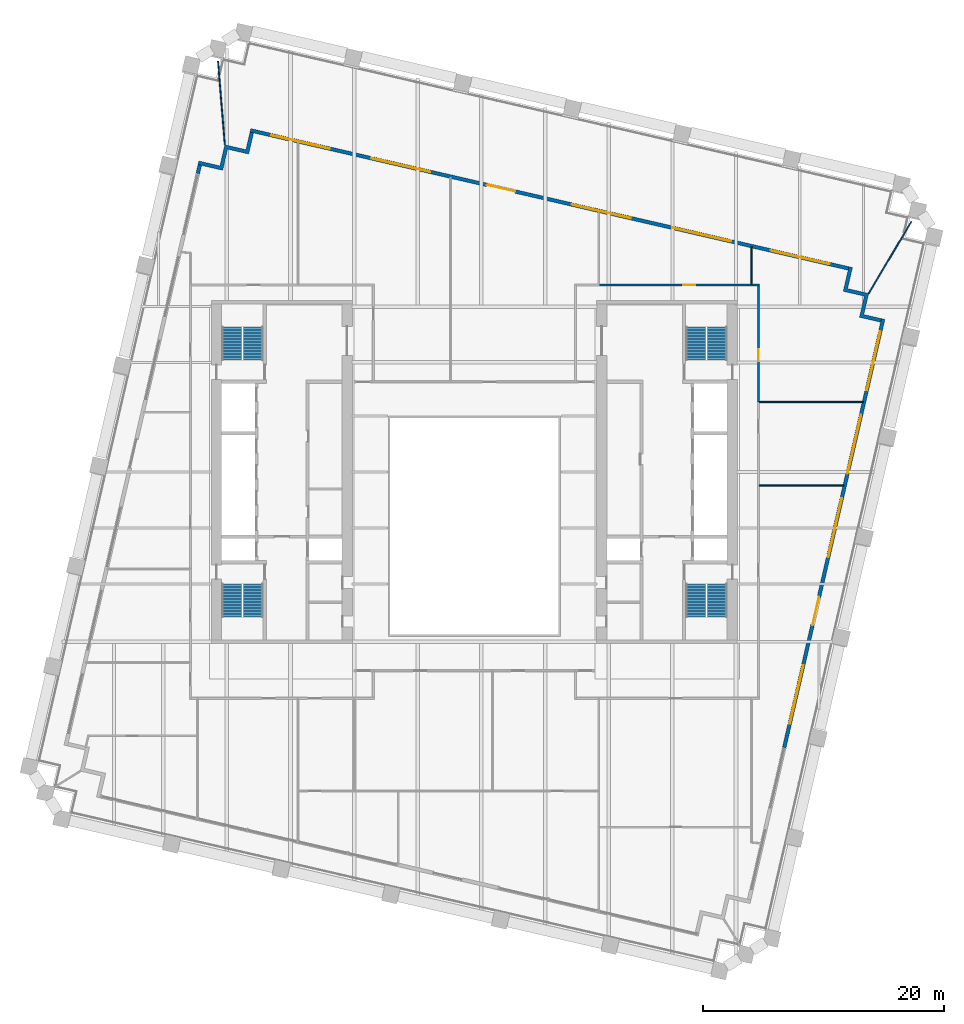
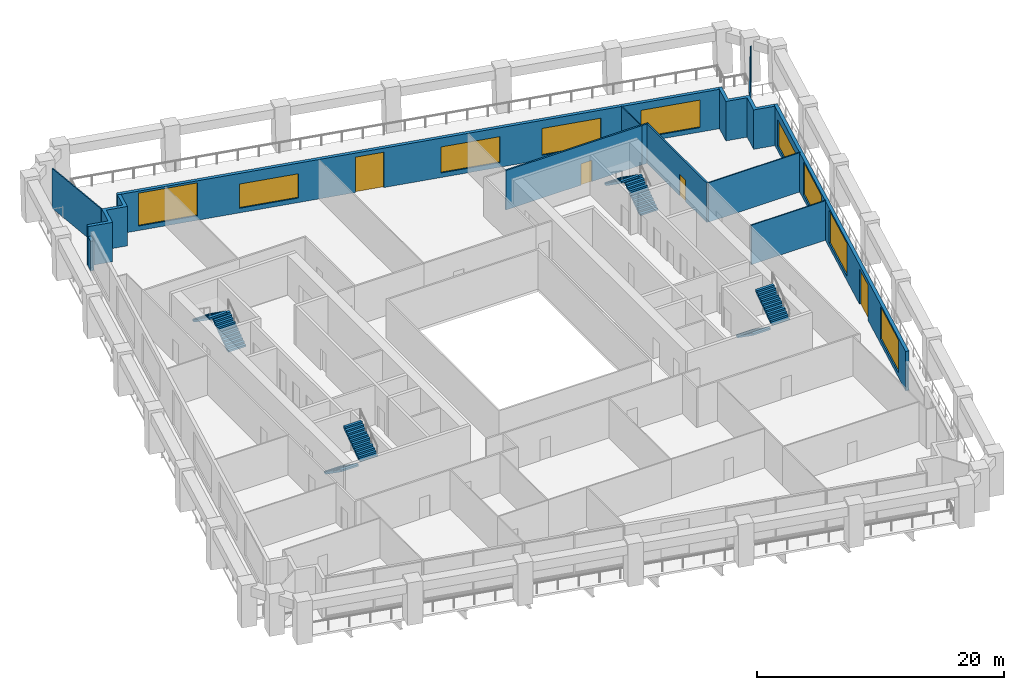
# One storey, part 10 of 12: 13 walls, 9 windows, 8 stair flights, 4 doors, 13 openings, 4 elements without a shape of their own.
"""IFC4 building model written with IfcOpenShell, lengths in metres."""

import ifcopenshell
import ifcopenshell.guid

model = None  # the IFC model being written
_history = None  # IfcOwnerHistory: only IFC2X3 demands one
_inside = {}  # id of a spatial element -> (the spatial element, [elements in it])
_under = {}  # id of a project, library or spatial element -> (it, [spatial elements below it])
_declared = {}  # id of a project -> (the project, [libraries it declares])
_typed = {}  # id of a type object -> (the type object, [elements of that type])
_made_of = {}  # id of a material, layer set ... -> (it, [elements and type objects made of it])


def new_model(schema):
    """Start an empty IFC model of exactly this schema.

    Asked for "IFC4X3", IfcOpenShell would pick the latest addendum, in which some entities
    have other attributes; the version numbers below select the first issue.
    IFC2X3 requires an IfcOwnerHistory on every rooted entity: one is made here for all.
    """
    global model, _history
    if schema == "IFC4X3":
        model = ifcopenshell.file(schema_version=(4, 3, 0, 0))
    else:
        model = ifcopenshell.file(schema=schema)
    _inside.clear()
    _under.clear()
    _declared.clear()
    _typed.clear()
    _made_of.clear()
    _history = None
    if model.schema == "IFC2X3":
        org = make("IfcOrganization", Name="unknown")
        user = make(
            "IfcPersonAndOrganization",
            ThePerson=make("IfcPerson", FamilyName="unknown"),
            TheOrganization=org,
        )
        app = make(
            "IfcApplication",
            ApplicationDeveloper=org,
            Version="unknown",
            ApplicationFullName="unknown",
            ApplicationIdentifier="unknown",
        )
        _history = make(
            "IfcOwnerHistory",
            OwningUser=user,
            OwningApplication=app,
            ChangeAction="ADDED",
            CreationDate=0,
        )
    return model


def make(cls, **values):
    """One entity of the class cls with the attributes given. An attribute that is None is left unset."""
    return model.create_entity(
        cls, **{name: value for name, value in values.items() if value is not None}
    )


def rooted(cls, **values):
    """An entity with a GlobalId (a new one), such as an element, a storey or a relation."""
    return make(cls, GlobalId=ifcopenshell.guid.new(), OwnerHistory=_history, **values)


def si_unit(unit_type, name, prefix=None):
    """IfcSIUnit, for example si_unit("LENGTHUNIT", "METRE", prefix="MILLI")."""
    return make("IfcSIUnit", UnitType=unit_type, Prefix=prefix, Name=name)


def assignment(units):
    """IfcUnitAssignment: the units of a project."""
    return None if units is None else make("IfcUnitAssignment", Units=units)


def point(xyz):
    """IfcCartesianPoint."""
    return None if xyz is None else make("IfcCartesianPoint", Coordinates=xyz)


def direction(xyz):
    """IfcDirection."""
    return None if xyz is None else make("IfcDirection", DirectionRatios=xyz)


def frame(location, z_axis=None, x_axis=None):
    """IfcAxis2Placement3D, a coordinate frame: its origin and axes. An axis left out is left unset."""
    return make(
        "IfcAxis2Placement3D",
        Location=point(location),
        Axis=direction(z_axis),
        RefDirection=direction(x_axis),
    )


def frame_2d(location, x_axis=None):
    """IfcAxis2Placement2D, a coordinate frame in the plane: its origin and x axis."""
    return make(
        "IfcAxis2Placement2D", Location=point(location), RefDirection=direction(x_axis)
    )


def origin():
    """The frame at (0, 0, 0) with its axes left unset."""
    return frame((0.0, 0.0, 0.0))


def place(relative_to, where):
    """IfcLocalPlacement: puts the frame where relative to a parent placement (None: the world)."""
    return make(
        "IfcLocalPlacement", PlacementRelTo=relative_to, RelativePlacement=where
    )


def context(
    kind, dimensions, precision=None, world=None, true_north=None, identifier=None
):
    """IfcGeometricRepresentationContext, for example the 3D "Model" context."""
    return make(
        "IfcGeometricRepresentationContext",
        ContextIdentifier=identifier,
        ContextType=kind,
        CoordinateSpaceDimension=dimensions,
        Precision=precision,
        WorldCoordinateSystem=world,
        TrueNorth=true_north,
    )


def subcontext(parent, identifier, kind, view, scale=None):
    """IfcGeometricRepresentationSubContext, for example "Body" below "Model"."""
    return make(
        "IfcGeometricRepresentationSubContext",
        ContextIdentifier=identifier,
        ContextType=kind,
        ParentContext=parent,
        TargetScale=scale,
        TargetView=view,
    )


def project(units=None, contexts=None):
    """IfcProject with its units and contexts."""
    return rooted(
        "IfcProject",
        Name="project",
        RepresentationContexts=contexts,
        UnitsInContext=assignment(units),
    )


def spatial(cls, under=None, at=None, **own):
    """A site, building, storey or space (cls), placed at a placement, below another one or the project."""
    s = rooted(cls, ObjectPlacement=at, **own)
    if under is not None:
        _under.setdefault(under.id(), (under, []))[1].append(s)
    return s


def polyline(points):
    """IfcPolyline through the points."""
    return make("IfcPolyline", Points=[point(p) for p in points])


def profile(cls, at=None, kind="AREA", **sizes):
    """A parametric profile (cls). Its sizes go by their IFC names, for example OverallWidth=200.0."""
    return make(cls, ProfileType=kind, Position=at, **sizes)


def rectangle(**sizes):
    """IfcRectangleProfileDef."""
    return profile("IfcRectangleProfileDef", **sizes)


def outline(outer, holes=None, kind="AREA"):
    """IfcArbitraryClosedProfileDef: a profile drawn as a closed curve; with holes, ...WithVoids."""
    if holes is None:
        return make("IfcArbitraryClosedProfileDef", ProfileType=kind, OuterCurve=outer)
    return make(
        "IfcArbitraryProfileDefWithVoids",
        ProfileType=kind,
        OuterCurve=outer,
        InnerCurves=holes,
    )


def extrude(swept, where, along, depth):
    """IfcExtrudedAreaSolid: the profile swept, set in the frame where, extruded along a direction by depth."""
    return make(
        "IfcExtrudedAreaSolid",
        SweptArea=swept,
        Position=where,
        ExtrudedDirection=direction(along),
        Depth=depth,
    )


def shape(context_of_items, identifier, shape_type, items):
    """IfcShapeRepresentation: the items that make up one representation, for example the "Body"."""
    return make(
        "IfcShapeRepresentation",
        ContextOfItems=context_of_items,
        RepresentationIdentifier=identifier,
        RepresentationType=shape_type,
        Items=items,
    )


def material(Name=None, Category=None):
    """IfcMaterial."""
    return make("IfcMaterial", Name=Name, Category=Category)


def layer(
    of_material, thickness, ventilated=None, Name=None, Category=None, Priority=None
):
    """IfcMaterialLayer: one layer of a wall or slab, of a material (None: an air gap)."""
    return make(
        "IfcMaterialLayer",
        Material=of_material,
        LayerThickness=thickness,
        IsVentilated=ventilated,
        Name=Name,
        Category=Category,
        Priority=Priority,
    )


def layer_set(layers, Name=None):
    """IfcMaterialLayerSet."""
    return make("IfcMaterialLayerSet", MaterialLayers=layers, LayerSetName=Name)


def made_of(thing, what):
    """Note that an element or type object is made of a material, layer set ...; save() writes the relation."""
    if what is not None:
        _made_of.setdefault(what.id(), (what, []))[1].append(thing)
    return thing


def type_object(cls, material=None, **own):
    """A type object (cls), such as IfcWallType, which elements share."""
    return made_of(rooted(cls, **own), material)


def element(
    cls,
    number,
    at=None,
    inside=None,
    cuts=None,
    type_object=None,
    material=None,
    context=None,
    identifier="Body",
    shape_type=None,
    held_by="IfcProductDefinitionShape",
    body=None,
    shapes=None,
    **own,
):
    """One element of the class cls, such as IfcWall. Its Tag is "e" and its number.

    at: its placement. inside: the storey or other place that contains it. cuts: it is an
    opening in that element (IfcRelVoidsElement). A single representation is given by context,
    identifier, shape_type and body (its items); several are given by shapes. held_by: the class
    of the entity that holds the representations. save() writes the other relations.
    """
    e = rooted(cls, Tag="e%d" % number, ObjectPlacement=at, **own)
    if body is not None:
        shapes = [shape(context, identifier, shape_type, body)]
    if shapes is not None:
        e.Representation = make(held_by, Representations=shapes)
    if inside is not None:
        _inside.setdefault(inside.id(), (inside, []))[1].append(e)
    if cuts is not None:
        rooted(
            "IfcRelVoidsElement", RelatingBuildingElement=cuts, RelatedOpeningElement=e
        )
    if type_object is not None:
        _typed.setdefault(type_object.id(), (type_object, []))[1].append(e)
    return made_of(e, material)


def fill(opening, filler):
    """IfcRelFillsElement: the door or window that sits in an opening."""
    return rooted(
        "IfcRelFillsElement",
        RelatingOpeningElement=opening,
        RelatedBuildingElement=filler,
    )


def aggregate(whole, parts):
    """IfcRelAggregates: a whole, such as a stair, and the parts it consists of."""
    return rooted("IfcRelAggregates", RelatingObject=whole, RelatedObjects=parts)


def save(model, path):
    """Write the relations noted so far, then the file.

    IfcRelAggregates (storeys below a building ...), IfcRelContainedInSpatialStructure (elements
    in a storey), IfcRelDefinesByType, IfcRelAssociatesMaterial and IfcRelDeclares: one each for
    every whole, place, type object, material and project.
    """
    for whole, parts in _under.values():
        aggregate(whole, parts)
    for where, things in _inside.values():
        rooted(
            "IfcRelContainedInSpatialStructure",
            RelatedElements=things,
            RelatingStructure=where,
        )
    for kind, things in _typed.values():
        rooted("IfcRelDefinesByType", RelatedObjects=things, RelatingType=kind)
    for what, things in _made_of.values():
        rooted("IfcRelAssociatesMaterial", RelatedObjects=things, RelatingMaterial=what)
    for by, libraries in _declared.values():
        rooted("IfcRelDeclares", RelatingContext=by, RelatedDefinitions=libraries)
    model.write(path)


model = new_model("IFC4")

# Units and contexts
model_context = context("Model", 3, precision=1e-05, world=origin(), true_north=direction((0.0, 1.0)))
body_context = subcontext(model_context, "Body", "Model", "MODEL_VIEW")
ifc_project = project(units=[si_unit("LENGTHUNIT", "METRE"), si_unit("AREAUNIT", "SQUARE_METRE"), si_unit("VOLUMEUNIT", "CUBIC_METRE"), si_unit("PLANEANGLEUNIT", "RADIAN"), si_unit("MASSUNIT", "GRAM", prefix="KILO")], contexts=[model_context])

# Site, building, storey
site_placement = place(None, origin())
site = spatial("IfcSite", under=ifc_project, at=site_placement, CompositionType="ELEMENT")
building_placement = place(site_placement, origin())
building = spatial("IfcBuilding", under=site, at=building_placement, Name="Ogive Exchange Tower", CompositionType="ELEMENT")
storey_placement = place(building_placement, frame((0.0, 0.0, 156.0)))
storey = spatial("IfcBuildingStorey", under=building, at=storey_placement, Name="L34", CompositionType="ELEMENT", Elevation=156.0)

# Wall, opening, door
ifc_material_1 = material(Name="Fire partition EI 60 150")
ifc_layer_1 = layer(ifc_material_1, 0.14990234375)
ifc_layer_set_1 = layer_set([ifc_layer_1], Name="Fire partition EI 60 150")
wall_type_1 = type_object("IfcWallType", Name="Fire partition EI 60 150", PredefinedType="PARTITIONING", material=ifc_layer_set_1)
wall_1_placement = place(storey_placement, frame((10.320068359375, 27.050048828125, 0.0), z_axis=(0.0, 0.0, 1.0), x_axis=(1.0, 0.0, 0.0)))
wall_1 = element("IfcWall", 1, at=wall_1_placement, inside=storey, type_object=wall_type_1, Name="L34-PWL-045", PredefinedType="PARTITIONING", context=body_context, shape_type="SweptSolid", body=[
    extrude(rectangle(XDim=12.739990234375, YDim=0.14990234375, at=frame_2d((6.3701171875, 0.0))), origin(), (0.0, 0.0, 1.0), 3.89990234375),
])
opening_1_placement = place(wall_1_placement, frame((7.0400390625, 0.0, 0.0)))
opening_1 = element("IfcOpeningElement", 2, at=opening_1_placement, cuts=wall_1, Name="Opening L34-I01", PredefinedType="OPENING", context=body_context, shape_type="SweptSolid", body=[
    extrude(rectangle(XDim=1.0, YDim=2.10009765625, at=frame_2d((0.5, 1.050048828125))), frame((0.0, 0.0849609375, 0.0), z_axis=(0.0, -1.0, 0.0), x_axis=(1.0, 0.0, 0.0)), (0.0, 0.0, 1.0), 0.169921875),
])
ifc_material_2 = material(Name="Fire door FD 30S 1000 x 2100")
door_type_1 = type_object("IfcDoorType", Name="Fire door FD 30S 1000 x 2100", OperationType="NOTDEFINED", PredefinedType="DOOR", material=ifc_material_2)
door_1_placement = place(opening_1_placement, origin())
door_1 = element("IfcDoor", 3, at=door_1_placement, inside=storey, type_object=door_type_1, Name="L34-IDR-001", ObjectType="DT3", OperationType="SINGLE_SWING_LEFT", OverallHeight=2.10009765625, OverallWidth=1.0, PredefinedType="DOOR", context=body_context, shape_type="SweptSolid", body=[
    extrude(rectangle(XDim=1.0, YDim=2.10009765625, at=frame_2d((0.5, 1.050048828125))), frame((0.0, 0.02490234375, 0.0), z_axis=(0.0, -1.0, 0.0), x_axis=(1.0, 0.0, 0.0)), (0.0, 0.0, 1.0), 0.050048828125),
])
fill(opening_1, door_1)

# Wall
wall_2_placement = place(storey_placement, frame((23.06005859375, 27.050048828125, 0.0), z_axis=(0.0, 0.0, 1.0), x_axis=(1.0, 0.0, 0.0)))
element("IfcWall", 4, at=wall_2_placement, inside=storey, type_object=wall_type_1, Name="L34-PWL-051", PredefinedType="PARTITIONING", context=body_context, shape_type="SweptSolid", body=[
    extrude(rectangle(XDim=0.614990234375, YDim=0.14990234375, at=frame_2d((0.3076171875, 0.0))), origin(), (0.0, 0.0, 1.0), 3.89990234375),
])

# Wall, opening, door
wall_3_placement = place(storey_placement, frame((23.60009765625, 26.97509765625, 0.0), z_axis=(0.0, 0.0, 1.0), x_axis=(0.0, -1.0, 0.0)))
wall_3 = element("IfcWall", 5, at=wall_3_placement, inside=storey, type_object=wall_type_1, Name="L34-PWL-058", PredefinedType="PARTITIONING", context=body_context, shape_type="SweptSolid", body=[
    extrude(rectangle(XDim=9.655029296875, YDim=0.14990234375, at=frame_2d((4.82763671875, 0.0))), origin(), (0.0, 0.0, 1.0), 3.89990234375),
])
opening_2_placement = place(wall_3_placement, frame((5.2548828125, 0.0, 0.0)))
opening_2 = element("IfcOpeningElement", 6, at=opening_2_placement, cuts=wall_3, Name="Opening L34-I06", PredefinedType="OPENING", context=body_context, shape_type="SweptSolid", body=[
    extrude(rectangle(XDim=1.0, YDim=2.10009765625, at=frame_2d((0.5, 1.050048828125))), frame((0.0, 0.0849609375, 0.0), z_axis=(0.0, -1.0, 0.0), x_axis=(1.0, 0.0, 0.0)), (0.0, 0.0, 1.0), 0.169921875),
])
door_2_placement = place(opening_2_placement, origin())
door_2 = element("IfcDoor", 7, at=door_2_placement, inside=storey, type_object=door_type_1, Name="L34-IDR-006", ObjectType="DT3", OperationType="SINGLE_SWING_LEFT", OverallHeight=2.10009765625, OverallWidth=1.0, PredefinedType="DOOR", context=body_context, shape_type="SweptSolid", body=[
    extrude(rectangle(XDim=1.0, YDim=2.10009765625, at=frame_2d((0.5, 1.050048828125))), frame((0.0, 0.02490234375, 0.0), z_axis=(0.0, -1.0, 0.0), x_axis=(1.0, 0.0, 0.0)), (0.0, 0.0, 1.0), 0.050048828125),
])
fill(opening_2, door_2)

# Wall, openings, windows, door
ifc_material_3 = material(Name="Precast concrete C40/50", Category="concrete")
ifc_layer_2 = layer(ifc_material_3, 0.300048828125)
ifc_layer_set_2 = layer_set([ifc_layer_2], Name="Limestone-faced wall 300")
wall_type_2 = type_object("IfcWallType", Name="Limestone-faced wall 300", PredefinedType="STANDARD", material=ifc_layer_set_2)
wall_4_placement = place(storey_placement, frame((31.07763671875, 28.4208984375, 0.0), z_axis=(0.0, 0.0, 1.0), x_axis=(-0.974370456532, 0.224949357493, 0.0)))
wall_4 = element("IfcWall", 8, at=wall_4_placement, inside=storey, type_object=wall_type_2, Name="External wall N3", PredefinedType="STANDARD", context=body_context, shape_type="SweptSolid", body=[
    extrude(rectangle(XDim=51.0, YDim=0.300048828125, at=frame_2d((25.5, 0.0))), origin(), (0.0, 0.0, 1.0), 3.89990234375),
])
opening_3_placement = place(wall_4_placement, frame((1.625, 0.0, 0.449951171875)))
opening_3 = element("IfcOpeningElement", 9, at=opening_3_placement, cuts=wall_4, Name="Opening W2G", PredefinedType="OPENING", context=body_context, shape_type="SweptSolid", body=[
    extrude(rectangle(XDim=5.0, YDim=2.72509765625, at=frame_2d((2.5, 1.362548828125))), frame((0.0, 0.159912109375, 0.0), z_axis=(0.0, -1.0, 0.0), x_axis=(1.0, 0.0, 0.0)), (0.0, 0.0, 1.0), 0.320068359375),
])
opening_4_placement = place(wall_4_placement, frame((10.02490234375, 0.0, 0.449951171875)))
opening_4 = element("IfcOpeningElement", 10, at=opening_4_placement, cuts=wall_4, Name="Opening W2I", PredefinedType="OPENING", context=body_context, shape_type="SweptSolid", body=[
    extrude(rectangle(XDim=5.0, YDim=2.64990234375, at=frame_2d((2.5, 1.324951171875))), frame((0.0, 0.159912109375, 0.0), z_axis=(0.0, -1.0, 0.0), x_axis=(1.0, 0.0, 0.0)), (0.0, 0.0, 1.0), 0.320068359375),
])
opening_5_placement = place(wall_4_placement, frame((18.574951171875, 0.0, 0.449951171875)))
opening_5 = element("IfcOpeningElement", 11, at=opening_5_placement, cuts=wall_4, Name="Opening W2K", PredefinedType="OPENING", context=body_context, shape_type="SweptSolid", body=[
    extrude(rectangle(XDim=5.0, YDim=2.574951171875, at=frame_2d((2.5, 1.28759765625))), frame((0.0, 0.159912109375, 0.0), z_axis=(0.0, -1.0, 0.0), x_axis=(1.0, 0.0, 0.0)), (0.0, 0.0, 1.0), 0.320068359375),
])
opening_6_placement = place(wall_4_placement, frame((28.425048828125, 0.0, 0.0)))
opening_6 = element("IfcOpeningElement", 12, at=opening_6_placement, cuts=wall_4, Name="Opening D1", PredefinedType="OPENING", context=body_context, shape_type="SweptSolid", body=[
    extrude(rectangle(XDim=2.39990234375, YDim=3.5, at=frame_2d((1.199951171875, 1.75))), frame((0.0, 0.159912109375, 0.0), z_axis=(0.0, -1.0, 0.0), x_axis=(1.0, 0.0, 0.0)), (0.0, 0.0, 1.0), 0.320068359375),
])
opening_7_placement = place(wall_4_placement, frame((35.675048828125, 0.0, 0.449951171875)))
opening_7 = element("IfcOpeningElement", 13, at=opening_7_placement, cuts=wall_4, Name="Opening W2L", PredefinedType="OPENING", context=body_context, shape_type="SweptSolid", body=[
    extrude(rectangle(XDim=5.0, YDim=2.39990234375, at=frame_2d((2.5, 1.199951171875))), frame((0.0, 0.159912109375, 0.0), z_axis=(0.0, -1.0, 0.0), x_axis=(1.0, 0.0, 0.0)), (0.0, 0.0, 1.0), 0.320068359375),
])
opening_8_placement = place(wall_4_placement, frame((44.22509765625, 0.0, 0.449951171875)))
opening_8 = element("IfcOpeningElement", 14, at=opening_8_placement, cuts=wall_4, Name="Opening W2", PredefinedType="OPENING", context=body_context, shape_type="SweptSolid", body=[
    extrude(rectangle(XDim=5.0, YDim=3.25, at=frame_2d((2.5, 1.625))), frame((0.0, 0.159912109375, 0.0), z_axis=(0.0, -1.0, 0.0), x_axis=(1.0, 0.0, 0.0)), (0.0, 0.0, 1.0), 0.320068359375),
])
ifc_material_4 = material(Name="Clear glass in bronze frame", Category="glass")
window_type_1 = type_object("IfcWindowType", Name="Executive lancet window 5000 x 2400", PartitioningType="DOUBLE_PANEL_VERTICAL", PredefinedType="WINDOW", material=ifc_material_4)
window_1_placement = place(opening_7_placement, origin())
window_1 = element("IfcWindow", 15, at=window_1_placement, inside=storey, type_object=window_type_1, Name="Window N04", OverallHeight=2.39990234375, OverallWidth=5.0, PartitioningType="DOUBLE_PANEL_VERTICAL", PredefinedType="WINDOW", context=body_context, shape_type="SweptSolid", body=[
    extrude(rectangle(XDim=5.0, YDim=2.39990234375, at=frame_2d((2.5, 1.199951171875))), frame((0.0, 0.030029296875, 0.0), z_axis=(0.0, -1.0, 0.0), x_axis=(1.0, 0.0, 0.0)), (0.0, 0.0, 1.0), 0.06005859375),
])
fill(opening_7, window_1)
window_type_2 = type_object("IfcWindowType", Name="Executive lancet window 5000 x 2575", PartitioningType="DOUBLE_PANEL_VERTICAL", PredefinedType="WINDOW", material=ifc_material_4)
window_2_placement = place(opening_5_placement, origin())
window_2 = element("IfcWindow", 16, at=window_2_placement, inside=storey, type_object=window_type_2, Name="Window N02", OverallHeight=2.574951171875, OverallWidth=5.0, PartitioningType="DOUBLE_PANEL_VERTICAL", PredefinedType="WINDOW", context=body_context, shape_type="SweptSolid", body=[
    extrude(rectangle(XDim=5.0, YDim=2.574951171875, at=frame_2d((2.5, 1.28759765625))), frame((0.0, 0.030029296875, 0.0), z_axis=(0.0, -1.0, 0.0), x_axis=(1.0, 0.0, 0.0)), (0.0, 0.0, 1.0), 0.06005859375),
])
fill(opening_5, window_2)
window_type_3 = type_object("IfcWindowType", Name="Executive lancet window 5000 x 2650", PartitioningType="DOUBLE_PANEL_VERTICAL", PredefinedType="WINDOW", material=ifc_material_4)
window_3_placement = place(opening_4_placement, origin())
window_3 = element("IfcWindow", 17, at=window_3_placement, inside=storey, type_object=window_type_3, Name="Window N01", OverallHeight=2.64990234375, OverallWidth=5.0, PartitioningType="DOUBLE_PANEL_VERTICAL", PredefinedType="WINDOW", context=body_context, shape_type="SweptSolid", body=[
    extrude(rectangle(XDim=5.0, YDim=2.64990234375, at=frame_2d((2.5, 1.324951171875))), frame((0.0, 0.030029296875, 0.0), z_axis=(0.0, -1.0, 0.0), x_axis=(1.0, 0.0, 0.0)), (0.0, 0.0, 1.0), 0.06005859375),
])
fill(opening_4, window_3)
window_type_4 = type_object("IfcWindowType", Name="Executive lancet window 5000 x 2725", PartitioningType="DOUBLE_PANEL_VERTICAL", PredefinedType="WINDOW", material=ifc_material_4)
window_4_placement = place(opening_3_placement, origin())
window_4 = element("IfcWindow", 18, at=window_4_placement, inside=storey, type_object=window_type_4, Name="Window N00", OverallHeight=2.72509765625, OverallWidth=5.0, PartitioningType="DOUBLE_PANEL_VERTICAL", PredefinedType="WINDOW", context=body_context, shape_type="SweptSolid", body=[
    extrude(rectangle(XDim=5.0, YDim=2.72509765625, at=frame_2d((2.5, 1.362548828125))), frame((0.0, 0.030029296875, 0.0), z_axis=(0.0, -1.0, 0.0), x_axis=(1.0, 0.0, 0.0)), (0.0, 0.0, 1.0), 0.06005859375),
])
fill(opening_3, window_4)
window_type_5 = type_object("IfcWindowType", Name="Executive lancet window 5000 x 3250", PartitioningType="DOUBLE_PANEL_VERTICAL", PredefinedType="WINDOW", material=ifc_material_4)
window_5_placement = place(opening_8_placement, origin())
window_5 = element("IfcWindow", 19, at=window_5_placement, inside=storey, type_object=window_type_5, Name="Window N05", OverallHeight=3.25, OverallWidth=5.0, PartitioningType="DOUBLE_PANEL_VERTICAL", PredefinedType="WINDOW", context=body_context, shape_type="SweptSolid", body=[
    extrude(rectangle(XDim=5.0, YDim=3.25, at=frame_2d((2.5, 1.625))), frame((0.0, 0.030029296875, 0.0), z_axis=(0.0, -1.0, 0.0), x_axis=(1.0, 0.0, 0.0)), (0.0, 0.0, 1.0), 0.06005859375),
])
fill(opening_8, window_5)
door_type_2 = type_object("IfcDoorType", Name="Sliding loggia door 2400 x 3500", OperationType="DOUBLE_DOOR_SLIDING", PredefinedType="DOOR", material=ifc_material_4)
door_3_placement = place(opening_6_placement, origin())
door_3 = element("IfcDoor", 20, at=door_3_placement, inside=storey, type_object=door_type_2, Name="Loggia door N03", OperationType="DOUBLE_DOOR_SLIDING", OverallHeight=3.5, OverallWidth=2.39990234375, PredefinedType="DOOR", context=body_context, shape_type="SweptSolid", body=[
    extrude(rectangle(XDim=2.39990234375, YDim=3.5, at=frame_2d((1.199951171875, 1.75))), frame((0.0, 0.02490234375, 0.0), z_axis=(0.0, -1.0, 0.0), x_axis=(1.0, 0.0, 0.0)), (0.0, 0.0, 1.0), 0.050048828125),
])
fill(opening_6, door_3)

# Walls
wall_5_placement = place(storey_placement, frame((-22.8203125, 37.015625, 0.0), z_axis=(0.0, 0.0, 1.0), x_axis=(-0.225031983597, -0.974351377255, 0.0)))
element("IfcWall", 21, at=wall_5_placement, inside=storey, type_object=wall_type_2, Name="External wall W4", PredefinedType="STANDARD", context=body_context, shape_type="SweptSolid", body=[
    extrude(rectangle(XDim=0.7236328125, YDim=0.300048828125, at=frame_2d((0.36181640625, 0.0))), origin(), (0.0, 0.0, 1.0), 2.929931640625),
])
wall_6_placement = place(storey_placement, origin())
element("IfcWall", 22, at=wall_6_placement, inside=storey, type_object=wall_type_2, Name="External corner wall C2", PredefinedType="STANDARD", context=body_context, shape_type="SweptSolid", body=[
    extrude(outline(polyline([(32.392822265625, 26.115966796875), (30.638916015625, 26.52099609375), (31.111328125, 28.56689453125), (31.40380859375, 28.49951171875), (30.998779296875, 26.74560546875), (32.752685546875, 26.3408203125), (32.34765625, 24.5869140625), (33.809326171875, 24.24951171875), (33.74169921875, 23.957275390625), (31.98779296875, 24.362060546875), (32.392822265625, 26.115966796875)])), origin(), (0.0, 0.0, 1.0), 3.89990234375),
])
wall_7_placement = place(storey_placement, origin())
element("IfcWall", 23, at=wall_7_placement, inside=storey, type_object=wall_type_2, Name="External corner wall C3", PredefinedType="STANDARD", context=body_context, shape_type="SweptSolid", body=[
    extrude(outline(polyline([(-22.966552734375, 37.04931640625), (-22.89892578125, 37.341552734375), (-21.145263671875, 36.936767578125), (-20.740234375, 38.690673828125), (-18.986328125, 38.28564453125), (-18.64892578125, 39.747314453125), (-18.356689453125, 39.6796875), (-18.76171875, 37.92578125), (-20.515380859375, 38.330810546875), (-20.92041015625, 36.576904296875), (-22.966552734375, 37.04931640625)])), origin(), (0.0, 0.0, 1.0), 3.89990234375),
])

# Wall, openings, windows, door
wall_8_placement = place(storey_placement, frame((25.73828125, -11.376708984375, 0.0), z_axis=(0.0, 0.0, 1.0), x_axis=(0.224953713156, 0.974369450946, 0.0)))
wall_8 = element("IfcWall", 24, at=wall_8_placement, inside=storey, type_object=wall_type_2, Name="External wall E2", PredefinedType="STANDARD", context=body_context, shape_type="SweptSolid", body=[
    extrude(rectangle(XDim=36.52880859375, YDim=0.300048828125, at=frame_2d((18.264404296875, 0.0))), origin(), (0.0, 0.0, 1.0), 3.89990234375),
])
opening_9_placement = place(wall_8_placement, frame((2.014404296875, 0.0, 0.449951171875)))
opening_9 = element("IfcOpeningElement", 25, at=opening_9_placement, cuts=wall_8, Name="Opening W2", PredefinedType="OPENING", context=body_context, shape_type="SweptSolid", body=[
    extrude(rectangle(XDim=5.0, YDim=3.25, at=frame_2d((2.5, 1.625))), frame((0.0, 0.159912109375, 0.0), z_axis=(0.0, -1.0, 0.0), x_axis=(1.0, 0.0, 0.0)), (0.0, 0.0, 1.0), 0.320068359375),
])
opening_10_placement = place(wall_8_placement, frame((10.4287109375, 0.0, 0.0)))
opening_10 = element("IfcOpeningElement", 26, at=opening_10_placement, cuts=wall_8, Name="Opening D1", PredefinedType="OPENING", context=body_context, shape_type="SweptSolid", body=[
    extrude(rectangle(XDim=2.39990234375, YDim=3.5, at=frame_2d((1.199951171875, 1.75))), frame((0.0, 0.159912109375, 0.0), z_axis=(0.0, -1.0, 0.0), x_axis=(1.0, 0.0, 0.0)), (0.0, 0.0, 1.0), 0.320068359375),
])
opening_11_placement = place(wall_8_placement, frame((16.242919921875, 0.0, 0.449951171875)))
opening_11 = element("IfcOpeningElement", 27, at=opening_11_placement, cuts=wall_8, Name="Opening W2", PredefinedType="OPENING", context=body_context, shape_type="SweptSolid", body=[
    extrude(rectangle(XDim=5.0, YDim=3.25, at=frame_2d((2.5, 1.625))), frame((0.0, 0.159912109375, 0.0), z_axis=(0.0, -1.0, 0.0), x_axis=(1.0, 0.0, 0.0)), (0.0, 0.0, 1.0), 0.320068359375),
])
opening_12_placement = place(wall_8_placement, frame((23.357177734375, 0.0, 0.449951171875)))
opening_12 = element("IfcOpeningElement", 28, at=opening_12_placement, cuts=wall_8, Name="Opening W2", PredefinedType="OPENING", context=body_context, shape_type="SweptSolid", body=[
    extrude(rectangle(XDim=5.0, YDim=3.25, at=frame_2d((2.5, 1.625))), frame((0.0, 0.159912109375, 0.0), z_axis=(0.0, -1.0, 0.0), x_axis=(1.0, 0.0, 0.0)), (0.0, 0.0, 1.0), 0.320068359375),
])
opening_13_placement = place(wall_8_placement, frame((30.471435546875, 0.0, 0.449951171875)))
opening_13 = element("IfcOpeningElement", 29, at=opening_13_placement, cuts=wall_8, Name="Opening W2I", PredefinedType="OPENING", context=body_context, shape_type="SweptSolid", body=[
    extrude(rectangle(XDim=5.0, YDim=2.64990234375, at=frame_2d((2.5, 1.324951171875))), frame((0.0, 0.159912109375, 0.0), z_axis=(0.0, -1.0, 0.0), x_axis=(1.0, 0.0, 0.0)), (0.0, 0.0, 1.0), 0.320068359375),
])
window_6_placement = place(opening_13_placement, origin())
window_6 = element("IfcWindow", 30, at=window_6_placement, inside=storey, type_object=window_type_3, Name="Window E06", OverallHeight=2.64990234375, OverallWidth=5.0, PartitioningType="DOUBLE_PANEL_VERTICAL", PredefinedType="WINDOW", context=body_context, shape_type="SweptSolid", body=[
    extrude(rectangle(XDim=5.0, YDim=2.64990234375, at=frame_2d((2.5, 1.324951171875))), frame((0.0, 0.030029296875, 0.0), z_axis=(0.0, -1.0, 0.0), x_axis=(1.0, 0.0, 0.0)), (0.0, 0.0, 1.0), 0.06005859375),
])
fill(opening_13, window_6)
window_7_placement = place(opening_9_placement, origin())
window_7 = element("IfcWindow", 31, at=window_7_placement, inside=storey, type_object=window_type_5, Name="Window E02", OverallHeight=3.25, OverallWidth=5.0, PartitioningType="DOUBLE_PANEL_VERTICAL", PredefinedType="WINDOW", context=body_context, shape_type="SweptSolid", body=[
    extrude(rectangle(XDim=5.0, YDim=3.25, at=frame_2d((2.5, 1.625))), frame((0.0, 0.030029296875, 0.0), z_axis=(0.0, -1.0, 0.0), x_axis=(1.0, 0.0, 0.0)), (0.0, 0.0, 1.0), 0.06005859375),
])
fill(opening_9, window_7)
window_8_placement = place(opening_11_placement, origin())
window_8 = element("IfcWindow", 32, at=window_8_placement, inside=storey, type_object=window_type_5, Name="Window E04", OverallHeight=3.25, OverallWidth=5.0, PartitioningType="DOUBLE_PANEL_VERTICAL", PredefinedType="WINDOW", context=body_context, shape_type="SweptSolid", body=[
    extrude(rectangle(XDim=5.0, YDim=3.25, at=frame_2d((2.5, 1.625))), frame((0.0, 0.030029296875, 0.0), z_axis=(0.0, -1.0, 0.0), x_axis=(1.0, 0.0, 0.0)), (0.0, 0.0, 1.0), 0.06005859375),
])
fill(opening_11, window_8)
window_9_placement = place(opening_12_placement, origin())
window_9 = element("IfcWindow", 33, at=window_9_placement, inside=storey, type_object=window_type_5, Name="Window E05", OverallHeight=3.25, OverallWidth=5.0, PartitioningType="DOUBLE_PANEL_VERTICAL", PredefinedType="WINDOW", context=body_context, shape_type="SweptSolid", body=[
    extrude(rectangle(XDim=5.0, YDim=3.25, at=frame_2d((2.5, 1.625))), frame((0.0, 0.030029296875, 0.0), z_axis=(0.0, -1.0, 0.0), x_axis=(1.0, 0.0, 0.0)), (0.0, 0.0, 1.0), 0.06005859375),
])
fill(opening_12, window_9)
door_4_placement = place(opening_10_placement, origin())
door_4 = element("IfcDoor", 34, at=door_4_placement, inside=storey, type_object=door_type_2, Name="Loggia door E03", OperationType="DOUBLE_DOOR_SLIDING", OverallHeight=3.5, OverallWidth=2.39990234375, PredefinedType="DOOR", context=body_context, shape_type="SweptSolid", body=[
    extrude(rectangle(XDim=2.39990234375, YDim=3.5, at=frame_2d((1.199951171875, 1.75))), frame((0.0, 0.02490234375, 0.0), z_axis=(0.0, -1.0, 0.0), x_axis=(1.0, 0.0, 0.0)), (0.0, 0.0, 1.0), 0.050048828125),
])
fill(opening_10, door_4)

# Walls
ifc_material_5 = material(Name="Laminated safety glass in steel frame", Category="steel")
ifc_layer_3 = layer(ifc_material_5, 0.10009765625)
ifc_layer_set_3 = layer_set([ifc_layer_3], Name="Loggia end screen 100")
wall_type_3 = type_object("IfcWallType", Name="Loggia end screen 100", PredefinedType="STANDARD", material=ifc_layer_set_3)
for number, where, z_axis, x_axis, name in (
    (35, (32.752685546875, 26.3408203125, -0.050048828125), (0.0, 0.0, 1.0), (0.510322384833, 0.859983176311, 0.0), "Loggia end screen C2"),
    (36, (-20.740234375, 38.690673828125, -0.050048828125), (0.0, 0.0, 1.0), (-0.081681246263, 0.996658504207, 0.0), "Loggia end screen C3"),
):
    element("IfcWall", number, at=place(storey_placement, frame(where, z_axis=z_axis, x_axis=x_axis)), inside=storey, type_object=wall_type_3, Name=name, PredefinedType="STANDARD", context=body_context, shape_type="SweptSolid", body=[
        extrude(rectangle(XDim=6.961181640625, YDim=0.10009765625, at=frame_2d((3.48046875, 0.0))), origin(), (0.0, 0.0, 1.0), 3.949951171875),
    ])
ifc_material_6 = material(Name="Partition 100 gypsum")
ifc_layer_4 = layer(ifc_material_6, 0.10009765625)
ifc_layer_set_4 = layer_set([ifc_layer_4], Name="Partition 100 gypsum")
wall_type_4 = type_object("IfcWallType", Name="Partition 100 gypsum", PredefinedType="PARTITIONING", material=ifc_layer_set_4)
wall_9_placement = place(storey_placement, frame((23.010009765625, 30.2119140625, 0.0), z_axis=(0.0, 0.0, 1.0), x_axis=(0.0, -1.0, 0.0)))
element("IfcWall", 37, at=wall_9_placement, inside=storey, type_object=wall_type_4, Name="L34-PWL-052", PredefinedType="PARTITIONING", context=body_context, shape_type="SweptSolid", body=[
    extrude(rectangle(XDim=3.0869140625, YDim=0.10009765625, at=frame_2d((1.54345703125, 0.0))), origin(), (0.0, 0.0, 1.0), 3.89990234375),
])
wall_10_placement = place(storey_placement, frame((23.675048828125, 10.389892578125, 0.0), z_axis=(0.0, 0.0, 1.0), x_axis=(1.0, 0.0, 0.0)))
element("IfcWall", 38, at=wall_10_placement, inside=storey, type_object=wall_type_4, Name="L34-PWL-055", PredefinedType="PARTITIONING", context=body_context, shape_type="SweptSolid", body=[
    extrude(rectangle(XDim=7.016845703125, YDim=0.10009765625, at=frame_2d((3.50830078125, 0.0))), origin(), (0.0, 0.0, 1.0), 3.89990234375),
])
wall_11_placement = place(storey_placement, frame((23.675048828125, 17.320068359375, 0.0), z_axis=(0.0, 0.0, 1.0), x_axis=(1.0, 0.0, 0.0)))
element("IfcWall", 39, at=wall_11_placement, inside=storey, type_object=wall_type_4, Name="L34-PWL-057", PredefinedType="PARTITIONING", context=body_context, shape_type="SweptSolid", body=[
    extrude(rectangle(XDim=8.616943359375, YDim=0.10009765625, at=frame_2d((4.30859375, 0.0))), origin(), (0.0, 0.0, 1.0), 3.89990234375),
])

# Stair, stair flights
ifc_material_7 = material(Name="Concrete C40/50", Category="concrete")
stair_type = type_object("IfcStairType", Name="Exit stair 1650 wide", PredefinedType="HALF_TURN_STAIR", material=ifc_material_7)
stair_1_placement = place(storey_placement, origin())
stair_1 = element("IfcStair", 40, at=stair_1_placement, inside=storey, type_object=stair_type, Name="L34 exit stair ST1", PredefinedType="HALF_TURN_STAIR")
stair_flight_type = type_object("IfcStairFlightType", Name="Stair flight 1650 wide", PredefinedType="STRAIGHT", material=ifc_material_7)
stair_flight_1_placement = place(storey_placement, frame((-20.175048828125, 2.199951171875, 0.0), z_axis=(0.0, 0.0, 1.0), x_axis=(0.0, -1.0, 0.0)))
stair_flight_1 = element("IfcStairFlight", 41, at=stair_flight_1_placement, type_object=stair_flight_type, Name="ST1 flight 1", NumberOfRisers=12, NumberOfTreads=11, PredefinedType="STRAIGHT", RiserHeight=0.175, TreadLength=0.25, context=body_context, shape_type="SweptSolid", body=[
    extrude(outline(polyline([(0.0, 0.0), (0.0, 0.175048828125), (0.25, 0.175048828125), (0.25, 0.35009765625), (0.5, 0.35009765625), (0.5, 0.52490234375), (0.75, 0.52490234375), (0.75, 0.699951171875), (1.0, 0.699951171875), (1.0, 0.875), (1.25, 0.875), (1.25, 1.050048828125), (1.5, 1.050048828125), (1.5, 1.22509765625), (1.75, 1.22509765625), (1.75, 1.39990234375), (2.0, 1.39990234375), (2.0, 1.574951171875), (2.25, 1.574951171875), (2.25, 1.75), (2.5, 1.75), (2.5, 1.925048828125), (2.75, 1.925048828125), (2.75, 2.10009765625), (2.75, 1.741943359375), (0.261474609375, 0.0), (0.0, 0.0)])), frame((0.0, 0.824951171875, 0.0), z_axis=(0.0, -1.0, 0.0), x_axis=(1.0, 0.0, 0.0)), (0.0, 0.0, 1.0), 1.64990234375),
])
stair_flight_2_placement = place(storey_placement, frame((-18.375, -0.550048828125, 2.10009765625), z_axis=(0.0, 0.0, 1.0), x_axis=(0.0, 1.0, 0.0)))
stair_flight_2 = element("IfcStairFlight", 42, at=stair_flight_2_placement, type_object=stair_flight_type, Name="ST1 flight 2", NumberOfRisers=12, NumberOfTreads=11, PredefinedType="STRAIGHT", RiserHeight=0.175, TreadLength=0.25, context=body_context, shape_type="SweptSolid", body=[
    extrude(outline(polyline([(0.0, 0.0), (0.0, 0.175048828125), (0.25, 0.175048828125), (0.25, 0.35009765625), (0.5, 0.35009765625), (0.5, 0.52490234375), (0.75, 0.52490234375), (0.75, 0.699951171875), (1.0, 0.699951171875), (1.0, 0.875), (1.25, 0.875), (1.25, 1.050048828125), (1.5, 1.050048828125), (1.5, 1.22509765625), (1.75, 1.22509765625), (1.75, 1.39990234375), (2.0, 1.39990234375), (2.0, 1.574951171875), (2.25, 1.574951171875), (2.25, 1.75), (2.5, 1.75), (2.5, 1.925048828125), (2.75, 1.925048828125), (2.75, 2.10009765625), (2.75, 1.741943359375), (0.261474609375, 0.0), (0.0, 0.0)])), frame((0.0, 0.824951171875, 0.0), z_axis=(0.0, -1.0, 0.0), x_axis=(1.0, 0.0, 0.0)), (0.0, 0.0, 1.0), 1.64990234375),
])
aggregate(stair_1, [stair_flight_1, stair_flight_2])

stair_2_placement = place(storey_placement, origin())
stair_2 = element("IfcStair", 43, at=stair_2_placement, inside=storey, type_object=stair_type, Name="L34 exit stair ST2", PredefinedType="HALF_TURN_STAIR")
stair_flight_3_placement = place(storey_placement, frame((-18.375, 20.800048828125, 0.0), z_axis=(0.0, 0.0, 1.0), x_axis=(0.0, 1.0, 0.0)))
stair_flight_3 = element("IfcStairFlight", 44, at=stair_flight_3_placement, type_object=stair_flight_type, Name="ST2 flight 1", NumberOfRisers=12, NumberOfTreads=11, PredefinedType="STRAIGHT", RiserHeight=0.175, TreadLength=0.25, context=body_context, shape_type="SweptSolid", body=[
    extrude(outline(polyline([(0.0, 0.0), (0.0, 0.175048828125), (0.25, 0.175048828125), (0.25, 0.35009765625), (0.5, 0.35009765625), (0.5, 0.52490234375), (0.75, 0.52490234375), (0.75, 0.699951171875), (1.0, 0.699951171875), (1.0, 0.875), (1.25, 0.875), (1.25, 1.050048828125), (1.5, 1.050048828125), (1.5, 1.22509765625), (1.75, 1.22509765625), (1.75, 1.39990234375), (2.0, 1.39990234375), (2.0, 1.574951171875), (2.25, 1.574951171875), (2.25, 1.75), (2.5, 1.75), (2.5, 1.925048828125), (2.75, 1.925048828125), (2.75, 2.10009765625), (2.75, 1.741943359375), (0.261474609375, 0.0), (0.0, 0.0)])), frame((0.0, 0.824951171875, 0.0), z_axis=(0.0, -1.0, 0.0), x_axis=(1.0, 0.0, 0.0)), (0.0, 0.0, 1.0), 1.64990234375),
])
stair_flight_4_placement = place(storey_placement, frame((-20.175048828125, 23.550048828125, 2.10009765625), z_axis=(0.0, 0.0, 1.0), x_axis=(0.0, -1.0, 0.0)))
stair_flight_4 = element("IfcStairFlight", 45, at=stair_flight_4_placement, type_object=stair_flight_type, Name="ST2 flight 2", NumberOfRisers=12, NumberOfTreads=11, PredefinedType="STRAIGHT", RiserHeight=0.175, TreadLength=0.25, context=body_context, shape_type="SweptSolid", body=[
    extrude(outline(polyline([(0.0, 0.0), (0.0, 0.175048828125), (0.25, 0.175048828125), (0.25, 0.35009765625), (0.5, 0.35009765625), (0.5, 0.52490234375), (0.75, 0.52490234375), (0.75, 0.699951171875), (1.0, 0.699951171875), (1.0, 0.875), (1.25, 0.875), (1.25, 1.050048828125), (1.5, 1.050048828125), (1.5, 1.22509765625), (1.75, 1.22509765625), (1.75, 1.39990234375), (2.0, 1.39990234375), (2.0, 1.574951171875), (2.25, 1.574951171875), (2.25, 1.75), (2.5, 1.75), (2.5, 1.925048828125), (2.75, 1.925048828125), (2.75, 2.10009765625), (2.75, 1.741943359375), (0.261474609375, 0.0), (0.0, 0.0)])), frame((0.0, 0.824951171875, 0.0), z_axis=(0.0, -1.0, 0.0), x_axis=(1.0, 0.0, 0.0)), (0.0, 0.0, 1.0), 1.64990234375),
])
aggregate(stair_2, [stair_flight_3, stair_flight_4])

stair_3_placement = place(storey_placement, origin())
stair_3 = element("IfcStair", 46, at=stair_3_placement, inside=storey, type_object=stair_type, Name="L34 exit stair ST3", PredefinedType="HALF_TURN_STAIR")
stair_flight_5_placement = place(storey_placement, frame((18.375, 2.199951171875, 0.0), z_axis=(0.0, 0.0, 1.0), x_axis=(0.0, -1.0, 0.0)))
stair_flight_5 = element("IfcStairFlight", 47, at=stair_flight_5_placement, type_object=stair_flight_type, Name="ST3 flight 1", NumberOfRisers=12, NumberOfTreads=11, PredefinedType="STRAIGHT", RiserHeight=0.175, TreadLength=0.25, context=body_context, shape_type="SweptSolid", body=[
    extrude(outline(polyline([(0.0, 0.0), (0.0, 0.175048828125), (0.25, 0.175048828125), (0.25, 0.35009765625), (0.5, 0.35009765625), (0.5, 0.52490234375), (0.75, 0.52490234375), (0.75, 0.699951171875), (1.0, 0.699951171875), (1.0, 0.875), (1.25, 0.875), (1.25, 1.050048828125), (1.5, 1.050048828125), (1.5, 1.22509765625), (1.75, 1.22509765625), (1.75, 1.39990234375), (2.0, 1.39990234375), (2.0, 1.574951171875), (2.25, 1.574951171875), (2.25, 1.75), (2.5, 1.75), (2.5, 1.925048828125), (2.75, 1.925048828125), (2.75, 2.10009765625), (2.75, 1.741943359375), (0.261474609375, 0.0), (0.0, 0.0)])), frame((0.0, 0.824951171875, 0.0), z_axis=(0.0, -1.0, 0.0), x_axis=(1.0, 0.0, 0.0)), (0.0, 0.0, 1.0), 1.64990234375),
])
stair_flight_6_placement = place(storey_placement, frame((20.175048828125, -0.550048828125, 2.10009765625), z_axis=(0.0, 0.0, 1.0), x_axis=(0.0, 1.0, 0.0)))
stair_flight_6 = element("IfcStairFlight", 48, at=stair_flight_6_placement, type_object=stair_flight_type, Name="ST3 flight 2", NumberOfRisers=12, NumberOfTreads=11, PredefinedType="STRAIGHT", RiserHeight=0.175, TreadLength=0.25, context=body_context, shape_type="SweptSolid", body=[
    extrude(outline(polyline([(0.0, 0.0), (0.0, 0.175048828125), (0.25, 0.175048828125), (0.25, 0.35009765625), (0.5, 0.35009765625), (0.5, 0.52490234375), (0.75, 0.52490234375), (0.75, 0.699951171875), (1.0, 0.699951171875), (1.0, 0.875), (1.25, 0.875), (1.25, 1.050048828125), (1.5, 1.050048828125), (1.5, 1.22509765625), (1.75, 1.22509765625), (1.75, 1.39990234375), (2.0, 1.39990234375), (2.0, 1.574951171875), (2.25, 1.574951171875), (2.25, 1.75), (2.5, 1.75), (2.5, 1.925048828125), (2.75, 1.925048828125), (2.75, 2.10009765625), (2.75, 1.741943359375), (0.261474609375, 0.0), (0.0, 0.0)])), frame((0.0, 0.824951171875, 0.0), z_axis=(0.0, -1.0, 0.0), x_axis=(1.0, 0.0, 0.0)), (0.0, 0.0, 1.0), 1.64990234375),
])
aggregate(stair_3, [stair_flight_5, stair_flight_6])

stair_4_placement = place(storey_placement, origin())
stair_4 = element("IfcStair", 49, at=stair_4_placement, inside=storey, type_object=stair_type, Name="L34 exit stair ST4", PredefinedType="HALF_TURN_STAIR")
stair_flight_7_placement = place(storey_placement, frame((20.175048828125, 20.800048828125, 0.0), z_axis=(0.0, 0.0, 1.0), x_axis=(0.0, 1.0, 0.0)))
stair_flight_7 = element("IfcStairFlight", 50, at=stair_flight_7_placement, type_object=stair_flight_type, Name="ST4 flight 1", NumberOfRisers=12, NumberOfTreads=11, PredefinedType="STRAIGHT", RiserHeight=0.175, TreadLength=0.25, context=body_context, shape_type="SweptSolid", body=[
    extrude(outline(polyline([(0.0, 0.0), (0.0, 0.175048828125), (0.25, 0.175048828125), (0.25, 0.35009765625), (0.5, 0.35009765625), (0.5, 0.52490234375), (0.75, 0.52490234375), (0.75, 0.699951171875), (1.0, 0.699951171875), (1.0, 0.875), (1.25, 0.875), (1.25, 1.050048828125), (1.5, 1.050048828125), (1.5, 1.22509765625), (1.75, 1.22509765625), (1.75, 1.39990234375), (2.0, 1.39990234375), (2.0, 1.574951171875), (2.25, 1.574951171875), (2.25, 1.75), (2.5, 1.75), (2.5, 1.925048828125), (2.75, 1.925048828125), (2.75, 2.10009765625), (2.75, 1.741943359375), (0.261474609375, 0.0), (0.0, 0.0)])), frame((0.0, 0.824951171875, 0.0), z_axis=(0.0, -1.0, 0.0), x_axis=(1.0, 0.0, 0.0)), (0.0, 0.0, 1.0), 1.64990234375),
])
stair_flight_8_placement = place(storey_placement, frame((18.375, 23.550048828125, 2.10009765625), z_axis=(0.0, 0.0, 1.0), x_axis=(0.0, -1.0, 0.0)))
stair_flight_8 = element("IfcStairFlight", 51, at=stair_flight_8_placement, type_object=stair_flight_type, Name="ST4 flight 2", NumberOfRisers=12, NumberOfTreads=11, PredefinedType="STRAIGHT", RiserHeight=0.175, TreadLength=0.25, context=body_context, shape_type="SweptSolid", body=[
    extrude(outline(polyline([(0.0, 0.0), (0.0, 0.175048828125), (0.25, 0.175048828125), (0.25, 0.35009765625), (0.5, 0.35009765625), (0.5, 0.52490234375), (0.75, 0.52490234375), (0.75, 0.699951171875), (1.0, 0.699951171875), (1.0, 0.875), (1.25, 0.875), (1.25, 1.050048828125), (1.5, 1.050048828125), (1.5, 1.22509765625), (1.75, 1.22509765625), (1.75, 1.39990234375), (2.0, 1.39990234375), (2.0, 1.574951171875), (2.25, 1.574951171875), (2.25, 1.75), (2.5, 1.75), (2.5, 1.925048828125), (2.75, 1.925048828125), (2.75, 2.10009765625), (2.75, 1.741943359375), (0.261474609375, 0.0), (0.0, 0.0)])), frame((0.0, 0.824951171875, 0.0), z_axis=(0.0, -1.0, 0.0), x_axis=(1.0, 0.0, 0.0)), (0.0, 0.0, 1.0), 1.64990234375),
])
aggregate(stair_4, [stair_flight_7, stair_flight_8])

save(model, "model.ifc")
